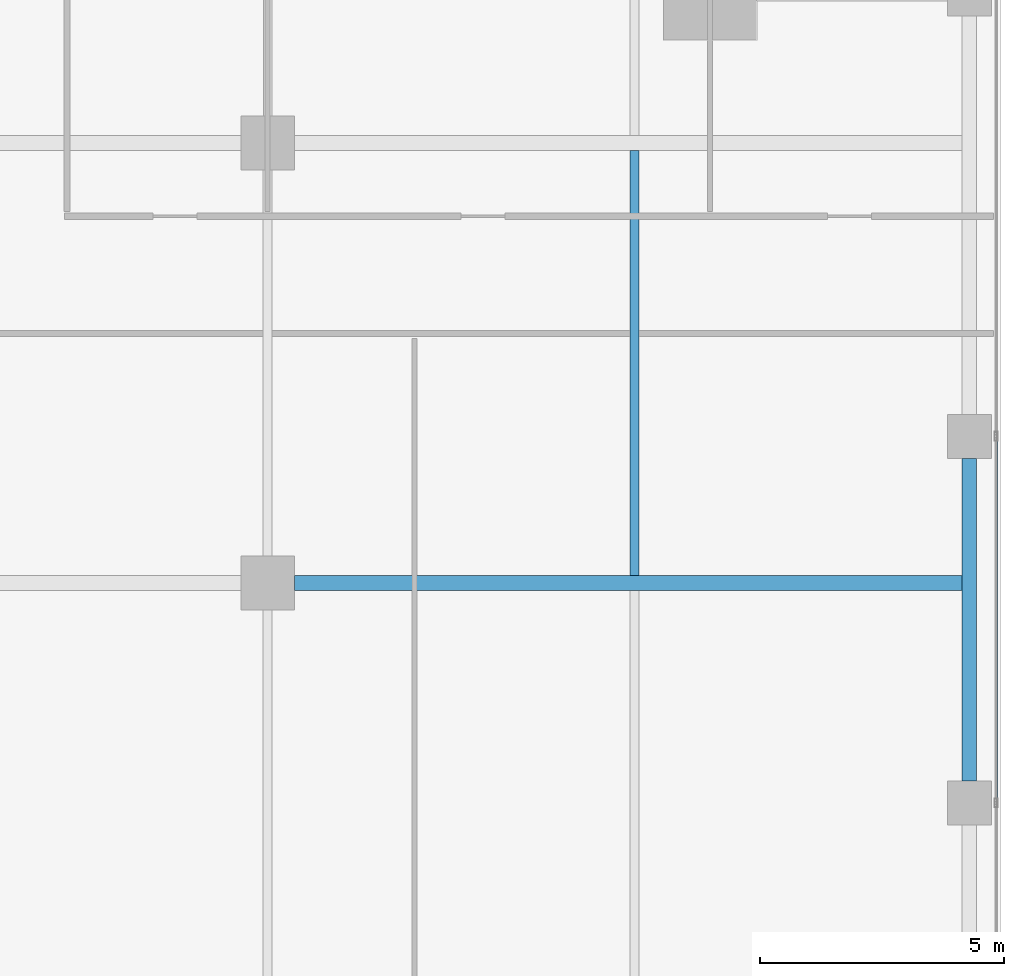
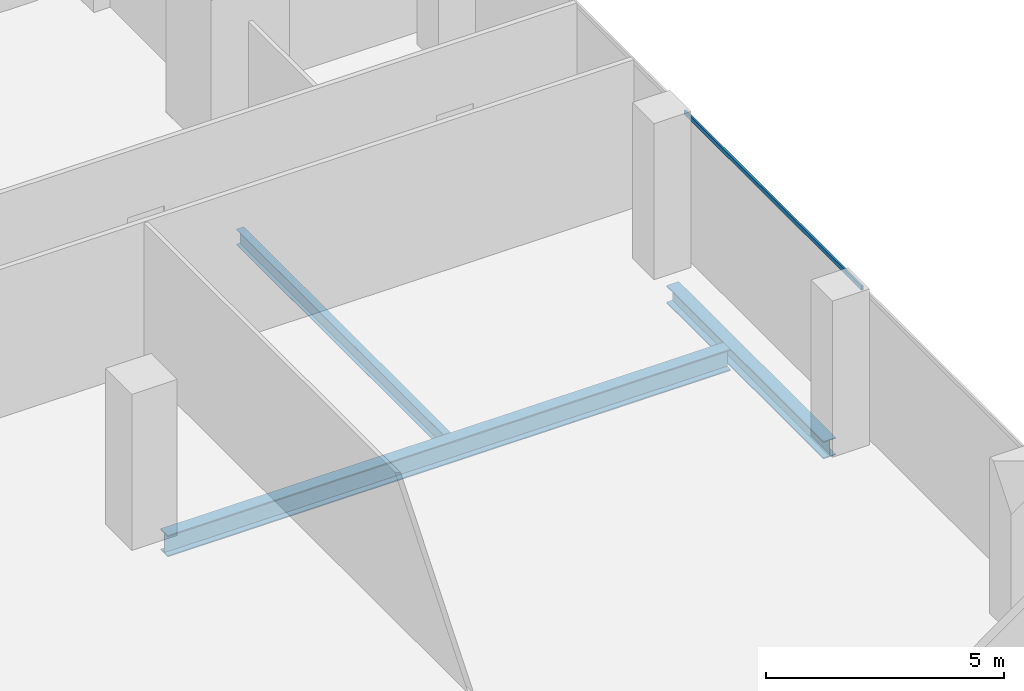
# One storey, part 14 of 35: 3 beams, 1 member, 1 element without a shape of its own.
"""IFC4 building model written with IfcOpenShell, lengths in metres."""

from ifc_helpers import new_model, si_unit, direction, frame, origin, origin_2d, place, context, subcontext, project, spatial, hollow_rectangle, i_section, extrude, source, transform, mapped, material, material_profile, profile_set, type_object, element, aggregate, save


model = new_model("IFC4")

# Units and contexts
model_context = context("Model", 3, precision=1e-05, world=origin(), true_north=direction((0.0, 1.0)))
body_context = subcontext(model_context, "Body", "Model", "MODEL_VIEW")
ifc_project = project(units=[si_unit("LENGTHUNIT", "METRE"), si_unit("AREAUNIT", "SQUARE_METRE"), si_unit("VOLUMEUNIT", "CUBIC_METRE"), si_unit("PLANEANGLEUNIT", "RADIAN"), si_unit("MASSUNIT", "GRAM", prefix="KILO")], contexts=[model_context])

# Site, building, storey
site_placement = place(None, origin())
site = spatial("IfcSite", under=ifc_project, at=site_placement, CompositionType="ELEMENT")
building_placement = place(site_placement, origin())
building = spatial("IfcBuilding", under=site, at=building_placement, Name="Khomas Fold Tower", CompositionType="ELEMENT")
storey_placement = place(building_placement, frame((0.0, 0.0, 270.199951171875)))
storey = spatial("IfcBuildingStorey", under=building, at=storey_placement, Name="L61", CompositionType="ELEMENT", Elevation=270.199951171875)

# Beams
ifc_material_1 = material(Name="Steel S355", Category="steel")
ifc_material_profile_1 = material_profile(ifc_material_1, i_section(OverallWidth=0.179931640625, OverallDepth=0.39990234375, WebThickness=0.008544921875, FlangeThickness=0.013427734375, at=origin_2d()), Name="IPE 400")
ifc_profile_set_1 = profile_set([ifc_material_profile_1], Name="Steel S355")
beam_type_1 = type_object("IfcBeamType", Name="IPE 400 beam JB3", PredefinedType="BEAM", material=ifc_profile_set_1)
shared_shape_1 = source(origin(), body_context, "Body", "SweptSolid", [
    extrude(i_section(OverallWidth=0.179931640625, OverallDepth=0.39990234375, WebThickness=0.008544921875, FlangeThickness=0.013427734375, at=origin_2d()), origin(), (0.0, 0.0, 1.0), 8.7001953125),
])
beam_1_placement = place(storey_placement, frame((42.0, 31.64990234375, -0.449951171875), z_axis=(0.0, 1.0, 0.0), x_axis=(-1.0, 0.0, 0.0)))
element("IfcBeam", 1, at=beam_1_placement, inside=storey, type_object=beam_type_1, Name="JB3", PredefinedType="BEAM", context=body_context, shape_type="MappedRepresentation", body=[
    mapped(shared_shape_1, transform((0.0, 0.0, 0.0))),
])
ifc_material_2 = material(Name="Steel S355", Category="steel")
ifc_material_profile_2 = material_profile(ifc_material_2, i_section(OverallWidth=0.300048828125, OverallDepth=0.449951171875, WebThickness=0.013916015625, FlangeThickness=0.02587890625, at=origin_2d()), Name="HE 450 B")
ifc_profile_set_2 = profile_set([ifc_material_profile_2], Name="Steel S355")
beam_type_2 = type_object("IfcBeamType", Name="HE 450 B spandrel SB4", PredefinedType="SPANDREL", material=ifc_profile_set_2)
shared_shape_2 = source(origin(), body_context, "Body", "SweptSolid", [
    extrude(i_section(OverallWidth=0.300048828125, OverallDepth=0.449951171875, WebThickness=0.013916015625, FlangeThickness=0.02587890625, at=origin_2d()), origin(), (0.0, 0.0, 1.0), 6.60009765625),
])
beam_2_placement = place(storey_placement, frame((48.85009765625, 27.449951171875, -0.474853515625), z_axis=(0.0, 1.0, 0.0), x_axis=(-1.0, 0.0, 0.0)))
element("IfcBeam", 2, at=beam_2_placement, inside=storey, type_object=beam_type_2, Name="SB4", PredefinedType="SPANDREL", context=body_context, shape_type="MappedRepresentation", body=[
    mapped(shared_shape_2, transform((0.0, 0.0, 0.0))),
])
ifc_material_3 = material(Name="Steel S355", Category="steel")
ifc_material_profile_3 = material_profile(ifc_material_3, i_section(OverallWidth=0.300048828125, OverallDepth=0.550048828125, WebThickness=0.014892578125, FlangeThickness=0.029052734375, at=origin_2d()), Name="HE 550 B")
ifc_profile_set_3 = profile_set([ifc_material_profile_3], Name="Steel S355")
beam_type_3 = type_object("IfcBeamType", Name="HE 550 B beam GB4", PredefinedType="BEAM", material=ifc_profile_set_3)
shared_shape_3 = source(origin(), body_context, "Body", "SweptSolid", [
    extrude(i_section(OverallWidth=0.300048828125, OverallDepth=0.550048828125, WebThickness=0.014892578125, FlangeThickness=0.029052734375, at=origin_2d()), origin(), (0.0, 0.0, 1.0), 13.64990234375),
])
beam_3_placement = place(storey_placement, frame((35.050048828125, 31.5, -0.52490234375), z_axis=(1.0, 0.0, 0.0), x_axis=(0.0, 1.0, 0.0)))
element("IfcBeam", 3, at=beam_3_placement, inside=storey, type_object=beam_type_3, Name="GB4", PredefinedType="BEAM", context=body_context, shape_type="MappedRepresentation", body=[
    mapped(shared_shape_3, transform((0.0, 0.0, 0.0))),
])

# Curtain wall, member
ifc_material_4 = material(Name="Aluminium framed double glazing", Category="aluminium")
curtain_wall_type = type_object("IfcCurtainWallType", Name="SK-Unitised clear-glass wall, office floors CW2", PredefinedType="NOTDEFINED", material=ifc_material_4)
curtain_wall_placement = place(storey_placement, origin())
curtain_wall = element("IfcCurtainWall", 4, at=curtain_wall_placement, inside=storey, type_object=curtain_wall_type, Name="CW2 run L61 03-0", PredefinedType="NOTDEFINED")
ifc_material_5 = material(Name="Aluminium", Category="aluminium")
ifc_material_profile_4 = material_profile(ifc_material_5, hollow_rectangle(XDim=0.050048828125, YDim=0.110107421875, WallThickness=0.00390625, at=origin_2d()), Name="SK-Unitised clear-glass wall, office floors transom CW2-T")
ifc_profile_set_4 = profile_set([ifc_material_profile_4], Name="Aluminium")
member_type = type_object("IfcMemberType", Name="SK-Unitised clear-glass wall, office floors transom CW2-T", PredefinedType="USERDEFINED", material=ifc_profile_set_4)
shared_shape_4 = source(origin(), body_context, "Body", "SweptSolid", [
    extrude(hollow_rectangle(XDim=0.050048828125, YDim=0.110107421875, WallThickness=0.00390625, at=origin_2d()), origin(), (0.0, 0.0, 1.0), 7.43994140625),
])
member_placement = place(storey_placement, frame((49.39990234375, 27.030029296875, 3.695068359375), z_axis=(0.0, 1.0, 0.0), x_axis=(-1.0, 0.0, 0.0)))
member = element("IfcMember", 5, at=member_placement, type_object=member_type, Name="CW2 transom 4", ObjectType="TRANSOM", PredefinedType="USERDEFINED", context=body_context, shape_type="MappedRepresentation", body=[
    mapped(shared_shape_4, transform((0.0, 0.0, 0.0))),
])
aggregate(curtain_wall, [member])

save(model, "model.ifc")
